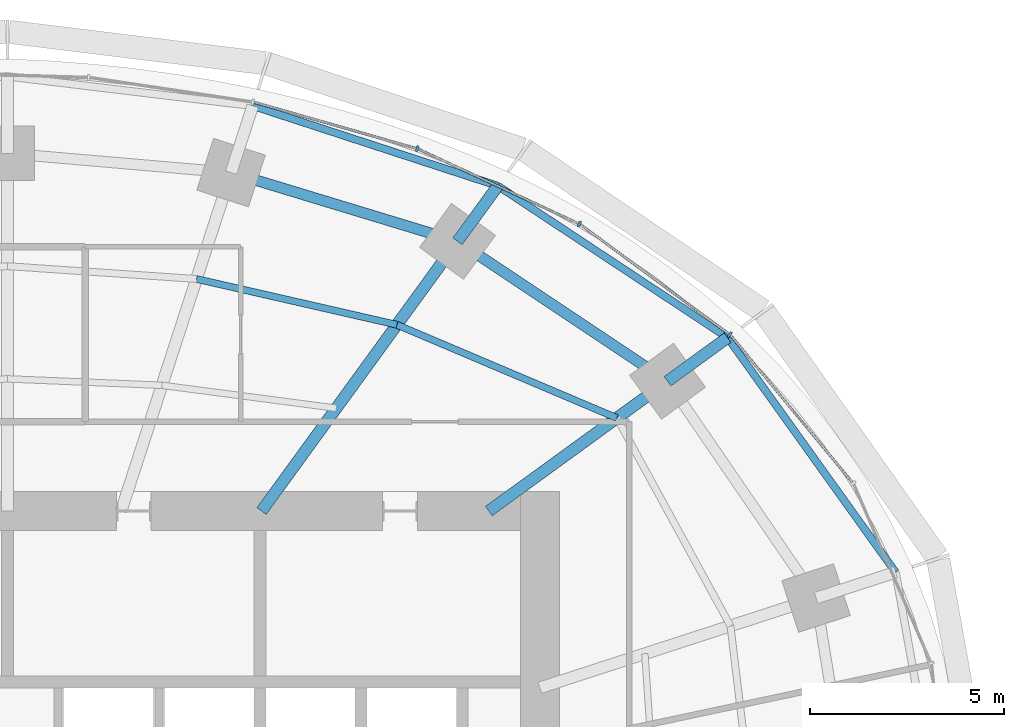
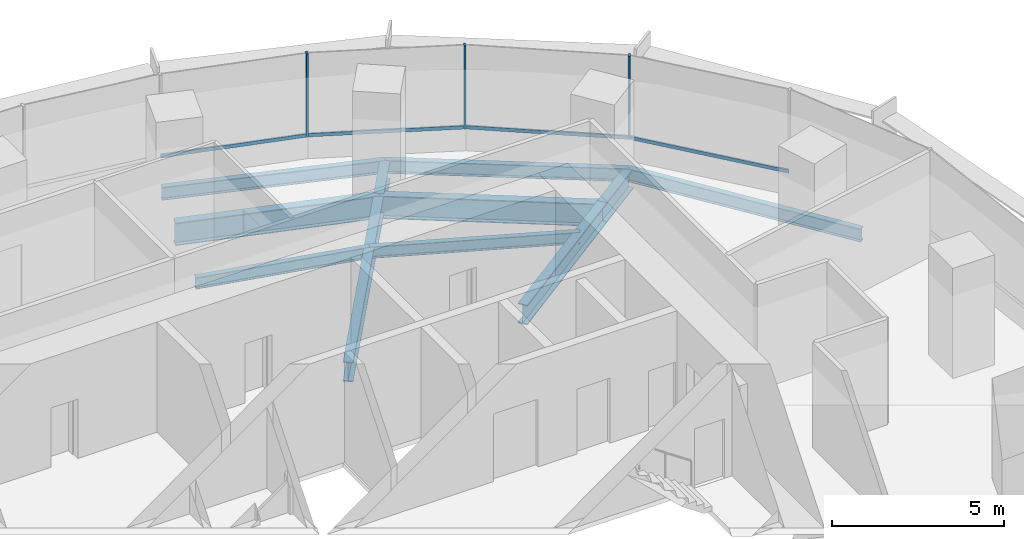
# One storey, part 8 of 15: 11 beams, 7 members, 2 elements without a shape of their own.
"""IFC4 building model written with IfcOpenShell, lengths in metres."""

from ifc_helpers import new_model, si_unit, direction, frame, origin, origin_2d, place, context, subcontext, project, spatial, rectangle, i_section, extrude, material, material_profile, profile_set, type_object, element, aggregate, save


model = new_model("IFC4")

# Units and contexts
model_context = context("Model", 3, precision=1e-05, world=origin(), true_north=direction((0.0, 1.0)))
body_context = subcontext(model_context, "Body", "Model", "MODEL_VIEW")
ifc_project = project(units=[si_unit("LENGTHUNIT", "METRE"), si_unit("AREAUNIT", "SQUARE_METRE"), si_unit("VOLUMEUNIT", "CUBIC_METRE"), si_unit("PLANEANGLEUNIT", "RADIAN"), si_unit("MASSUNIT", "GRAM", prefix="KILO")], contexts=[model_context])

# Site, building, storey
site_placement = place(None, origin())
site = spatial("IfcSite", under=ifc_project, at=site_placement, CompositionType="ELEMENT")
building_placement = place(site_placement, origin())
building = spatial("IfcBuilding", under=site, at=building_placement, Name="Marramba Exchange Tower", CompositionType="ELEMENT")
storey_placement = place(building_placement, frame((0.0, 0.0, 226.699951171875)))
storey = spatial("IfcBuildingStorey", under=building, at=storey_placement, Name="L55", CompositionType="ELEMENT", Elevation=226.699951171875)

# Beams
ifc_material_1 = material(Name="Steel AS/NZS 3679.2 grade 300", Category="steel")
ifc_material_profile_1 = material_profile(ifc_material_1, i_section(OverallWidth=0.300048828125, OverallDepth=0.699951171875, WebThickness=0.010009765625, FlangeThickness=0.031982421875, at=origin_2d()), Name="700WB173")
ifc_profile_set_1 = profile_set([ifc_material_profile_1], Name="Steel AS/NZS 3679.2 grade 300")
beam_type_1 = type_object("IfcBeamType", Name="Cantilever girder 700WB173", PredefinedType="BEAM", material=ifc_profile_set_1)
beam_1_placement = place(storey_placement, frame((16.98583984375, 12.3408203125, -0.510009765625), z_axis=(0.808962750283, 0.587859905636, 0.0), x_axis=(-0.587859905636, 0.808962750283, 0.0)))
element("IfcBeam", 1, at=beam_1_placement, inside=storey, type_object=beam_type_1, Name="Cantilever girder L55 TC03", PredefinedType="BEAM", context=body_context, shape_type="SweptSolid", body=[
    extrude(i_section(OverallWidth=0.300048828125, OverallDepth=0.699951171875, WebThickness=0.010009765625, FlangeThickness=0.031982421875, at=origin_2d()), origin(), (0.0, 0.0, 1.0), 1.9091796875),
])
beam_2_placement = place(storey_placement, frame((11.581298828125, 15.9404296875, -0.510009765625), z_axis=(0.587817766387, 0.808993370504, 0.0), x_axis=(-0.808993370504, 0.587817766387, 0.0)))
element("IfcBeam", 2, at=beam_2_placement, inside=storey, type_object=beam_type_1, Name="Cantilever girder L55 TC04", PredefinedType="BEAM", context=body_context, shape_type="SweptSolid", body=[
    extrude(i_section(OverallWidth=0.300048828125, OverallDepth=0.699951171875, WebThickness=0.010009765625, FlangeThickness=0.031982421875, at=origin_2d()), origin(), (0.0, 0.0, 1.0), 1.763916015625),
])
ifc_material_2 = material(Name="Steel AS/NZS 3679.1 grade 300", Category="steel")
ifc_material_profile_2 = material_profile(ifc_material_2, i_section(OverallWidth=0.177978515625, OverallDepth=0.406005859375, WebThickness=0.0078125, FlangeThickness=0.0126953125, FilletRadius=0.011474609375, at=origin_2d()), Name="410UB59.7")
ifc_profile_set_2 = profile_set([ifc_material_profile_2], Name="Steel AS/NZS 3679.1 grade 300")
beam_type_2 = type_object("IfcBeamType", Name="Floor joist 410UB59.7", PredefinedType="JOIST", material=ifc_profile_set_2)
beam_3_placement = place(storey_placement, frame((15.682373046875, 11.393798828125, -0.363037109375), z_axis=(-0.920674336375, 0.390331610738, 0.0), x_axis=(-0.390331610738, -0.920674336375, 0.0)))
element("IfcBeam", 3, at=beam_3_placement, inside=storey, type_object=beam_type_2, Name="Joist L55 bay 03 row 2", PredefinedType="JOIST", context=body_context, shape_type="SweptSolid", body=[
    extrude(i_section(OverallWidth=0.177978515625, OverallDepth=0.406005859375, WebThickness=0.0078125, FlangeThickness=0.0126953125, FilletRadius=0.011474609375, at=origin_2d()), origin(), (0.0, 0.0, 1.0), 6.1484375),
])
beam_4_placement = place(storey_placement, frame((10.021728515625, 13.793701171875, -0.363037109375), z_axis=(-0.974859652292, 0.222819788916, 0.0), x_axis=(-0.222819788916, -0.974859652292, 0.0)))
element("IfcBeam", 4, at=beam_4_placement, inside=storey, type_object=beam_type_2, Name="Joist L55 bay 04 row 2", PredefinedType="JOIST", context=body_context, shape_type="SweptSolid", body=[
    extrude(i_section(OverallWidth=0.177978515625, OverallDepth=0.406005859375, WebThickness=0.0078125, FlangeThickness=0.0126953125, FilletRadius=0.011474609375, at=origin_2d()), origin(), (0.0, 0.0, 1.0), 5.2900390625),
])

# Curtain wall, members
ifc_material_3 = material(Name="Aluminium framing, bronze anodised", Category="aluminium")
curtain_wall_type = type_object("IfcCurtainWallType", Name="Office ribbon curtain wall", PredefinedType="USERDEFINED", material=ifc_material_3)
curtain_wall_1_placement = place(storey_placement, origin())
curtain_wall_1 = element("IfcCurtainWall", 5, at=curtain_wall_1_placement, inside=storey, type_object=curtain_wall_type, Name="Curtain wall CW4 L55 F01-F05", ObjectType="RIBBON CURTAIN WALL", PredefinedType="USERDEFINED")
ifc_material_4 = material(Name="Aluminium mullion, bronze anodised", Category="aluminium")
ifc_material_profile_3 = material_profile(ifc_material_4, rectangle(XDim=0.159912109375, YDim=0.06005859375, at=origin_2d()), Name="CW4 mullion 60x160")
ifc_profile_set_3 = profile_set([ifc_material_profile_3], Name="Aluminium mullion, bronze anodised")
member_type_1 = type_object("IfcMemberType", Name="Office ribbon curtain wall mullion", PredefinedType="MULLION", material=ifc_profile_set_3)
member_1_placement = place(storey_placement, frame((18.587158203125, 13.53955078125, 0.800048828125), z_axis=(0.0, 0.0, 1.0), x_axis=(-0.593441317494, -0.804877259395, 0.0)))
member_1 = element("IfcMember", 6, at=member_1_placement, type_object=member_type_1, Name="CW4 mullion 1", PredefinedType="MULLION", context=body_context, shape_type="SweptSolid", body=[
    extrude(rectangle(XDim=0.159912109375, YDim=0.06005859375, at=origin_2d()), origin(), (0.0, 0.0, 1.0), 2.93994140625),
])
member_2_placement = place(storey_placement, frame((14.7158203125, 16.386474609375, 0.800048828125), z_axis=(0.0, 0.0, 1.0), x_axis=(-0.422133006189, -0.906533907301, 0.0)))
member_2 = element("IfcMember", 7, at=member_2_placement, type_object=member_type_1, Name="CW4 mullion 1", PredefinedType="MULLION", context=body_context, shape_type="SweptSolid", body=[
    extrude(rectangle(XDim=0.159912109375, YDim=0.06005859375, at=origin_2d()), origin(), (0.0, 0.0, 1.0), 2.93994140625),
])

# Curtain wall, member
curtain_wall_2_placement = place(storey_placement, origin())
curtain_wall_2 = element("IfcCurtainWall", 8, at=curtain_wall_2_placement, inside=storey, type_object=curtain_wall_type, Name="Curtain wall CW4 L55 F06-F10", ObjectType="RIBBON CURTAIN WALL", PredefinedType="USERDEFINED")
member_3_placement = place(storey_placement, frame((10.54541015625, 18.3232421875, 0.800048828125), z_axis=(0.0, 0.0, 1.0), x_axis=(-0.274248164656, -0.961658954195, 0.0)))
member_3 = element("IfcMember", 9, at=member_3_placement, type_object=member_type_1, Name="CW4 mullion 1", PredefinedType="MULLION", context=body_context, shape_type="SweptSolid", body=[
    extrude(rectangle(XDim=0.159912109375, YDim=0.06005859375, at=origin_2d()), origin(), (0.0, 0.0, 1.0), 2.93994140625),
])

# Member
ifc_material_5 = material(Name="Aluminium transom, bronze anodised", Category="aluminium")
ifc_material_profile_4 = material_profile(ifc_material_5, rectangle(XDim=0.06005859375, YDim=0.1201171875, at=origin_2d()), Name="CW4 transom 60x120")
ifc_profile_set_4 = profile_set([ifc_material_profile_4], Name="Aluminium transom, bronze anodised")
member_type_2 = type_object("IfcMemberType", Name="Office ribbon curtain wall transom", PredefinedType="USERDEFINED", material=ifc_profile_set_4)
member_4_placement = place(storey_placement, frame((21.73779296875, 9.74169921875, 0.830078125), z_axis=(-0.637375191043, 0.770553609973, 0.0), x_axis=(-0.770553609973, -0.637375191043, 0.0)))
member_4 = element("IfcMember", 10, at=member_4_placement, type_object=member_type_2, Name="CW4 sill transom", ObjectType="TRANSOM", PredefinedType="USERDEFINED", context=body_context, shape_type="SweptSolid", body=[
    extrude(rectangle(XDim=0.06005859375, YDim=0.1201171875, at=origin_2d()), origin(), (0.0, 0.0, 1.0), 4.905517578125),
])

member_5_placement = place(storey_placement, frame((18.56298828125, 13.557373046875, 0.830078125), z_axis=(-0.804874780157, 0.593444680039, 0.0), x_axis=(-0.593444680039, -0.804874780157, 0.0)))
member_5 = element("IfcMember", 11, at=member_5_placement, type_object=member_type_2, Name="CW4 sill transom", ObjectType="TRANSOM", PredefinedType="USERDEFINED", context=body_context, shape_type="SweptSolid", body=[
    extrude(rectangle(XDim=0.06005859375, YDim=0.1201171875, at=origin_2d()), origin(), (0.0, 0.0, 1.0), 4.745849609375),
])

member_6_placement = place(storey_placement, frame((14.688720703125, 16.399169921875, 0.830078125), z_axis=(-0.906548348139, 0.422101992989, 0.0), x_axis=(-0.422101992989, -0.906548348139, 0.0)))
member_6 = element("IfcMember", 12, at=member_6_placement, type_object=member_type_2, Name="CW4 sill transom", ObjectType="TRANSOM", PredefinedType="USERDEFINED", context=body_context, shape_type="SweptSolid", body=[
    extrude(rectangle(XDim=0.06005859375, YDim=0.1201171875, at=origin_2d()), origin(), (0.0, 0.0, 1.0), 4.53857421875),
])

aggregate(curtain_wall_1, [member_4, member_1, member_5, member_2, member_6])

member_7_placement = place(storey_placement, frame((10.5166015625, 18.33154296875, 0.830078125), z_axis=(-0.961661807825, 0.274238158125, 0.0), x_axis=(-0.274238158125, -0.961661807825, 0.0)))
member_7 = element("IfcMember", 13, at=member_7_placement, type_object=member_type_2, Name="CW4 sill transom", ObjectType="TRANSOM", PredefinedType="USERDEFINED", context=body_context, shape_type="SweptSolid", body=[
    extrude(rectangle(XDim=0.06005859375, YDim=0.1201171875, at=origin_2d()), origin(), (0.0, 0.0, 1.0), 4.340087890625),
])

aggregate(curtain_wall_2, [member_3, member_7])

# Beams
ifc_material_profile_5 = material_profile(ifc_material_1, i_section(OverallWidth=0.300048828125, OverallDepth=0.699951171875, WebThickness=0.010009765625, FlangeThickness=0.031982421875, at=origin_2d()), Name="700WB173")
ifc_profile_set_5 = profile_set([ifc_material_profile_5], Name="Steel AS/NZS 3679.2 grade 300")
beam_type_3 = type_object("IfcBeamType", Name="Radial girder 700WB173", PredefinedType="BEAM", material=ifc_profile_set_5)
beam_5_placement = place(storey_placement, frame((12.387451171875, 9.0, -0.510009765625), z_axis=(0.809025746925, 0.587773205252, 0.0), x_axis=(-0.587773205252, 0.809025746925, 0.0)))
element("IfcBeam", 14, at=beam_5_placement, inside=storey, type_object=beam_type_3, Name="Radial girder L55 TC03", PredefinedType="BEAM", context=body_context, shape_type="SweptSolid", body=[
    extrude(i_section(OverallWidth=0.300048828125, OverallDepth=0.699951171875, WebThickness=0.010009765625, FlangeThickness=0.031982421875, at=origin_2d()), origin(), (0.0, 0.0, 1.0), 5.683837890625),
])
beam_6_placement = place(storey_placement, frame((6.538818359375, 9.0, -0.510009765625), z_axis=(0.587782439969, 0.80901903764, 0.0), x_axis=(-0.80901903764, 0.587782439969, 0.0)))
element("IfcBeam", 15, at=beam_6_placement, inside=storey, type_object=beam_type_3, Name="Radial girder L55 TC04", PredefinedType="BEAM", context=body_context, shape_type="SweptSolid", body=[
    extrude(i_section(OverallWidth=0.300048828125, OverallDepth=0.699951171875, WebThickness=0.010009765625, FlangeThickness=0.031982421875, at=origin_2d()), origin(), (0.0, 0.0, 1.0), 8.578857421875),
])
ifc_material_profile_6 = material_profile(ifc_material_1, i_section(OverallWidth=0.27490234375, OverallDepth=0.800048828125, WebThickness=0.010009765625, FlangeThickness=0.02490234375, at=origin_2d()), Name="800WB168")
ifc_profile_set_6 = profile_set([ifc_material_profile_6], Name="Steel AS/NZS 3679.2 grade 300")
beam_type_4 = type_object("IfcBeamType", Name="Ring beam 800WB168", PredefinedType="SPANDREL", material=ifc_profile_set_6)
beam_7_placement = place(storey_placement, frame((16.98583984375, 12.3408203125, -0.56005859375), z_axis=(-0.832293151443, 0.554335737673, 0.0), x_axis=(-0.554335737673, -0.832293151443, 0.0)))
element("IfcBeam", 16, at=beam_7_placement, inside=storey, type_object=beam_type_4, Name="Ring beam L55 TC03-TC04", PredefinedType="SPANDREL", context=body_context, shape_type="SweptSolid", body=[
    extrude(i_section(OverallWidth=0.27490234375, OverallDepth=0.800048828125, WebThickness=0.010009765625, FlangeThickness=0.02490234375, at=origin_2d()), origin(), (0.0, 0.0, 1.0), 6.49365234375),
])
beam_8_placement = place(storey_placement, frame((11.581298828125, 15.9404296875, -0.56005859375), z_axis=(-0.956924542524, 0.290336735387, 0.0), x_axis=(-0.290336735387, -0.956924542524, 0.0)))
element("IfcBeam", 17, at=beam_8_placement, inside=storey, type_object=beam_type_4, Name="Ring beam L55 TC04-TC05", PredefinedType="SPANDREL", context=body_context, shape_type="SweptSolid", body=[
    extrude(i_section(OverallWidth=0.27490234375, OverallDepth=0.800048828125, WebThickness=0.010009765625, FlangeThickness=0.02490234375, at=origin_2d()), origin(), (0.0, 0.0, 1.0), 6.089599609375),
])
ifc_material_profile_7 = material_profile(ifc_material_2, i_section(OverallWidth=0.19091796875, OverallDepth=0.4599609375, WebThickness=0.010009765625, FlangeThickness=0.01611328125, FilletRadius=0.011474609375, at=origin_2d()), Name="460UB82.1")
ifc_profile_set_7 = profile_set([ifc_material_profile_7], Name="Steel AS/NZS 3679.1 grade 300")
beam_type_5 = type_object("IfcBeamType", Name="Slab edge beam 460UB82.1", PredefinedType="SPANDREL", material=ifc_profile_set_7)
beam_9_placement = place(storey_placement, frame((22.853515625, 7.425537109375, -0.389892578125), z_axis=(-0.582189457885, 0.813053156398, 0.0), x_axis=(-0.813053156398, -0.582189457885, 0.0)))
element("IfcBeam", 18, at=beam_9_placement, inside=storey, type_object=beam_type_5, Name="Slab edge beam L55 TC02-TC03", PredefinedType="SPANDREL", context=body_context, shape_type="SweptSolid", body=[
    extrude(i_section(OverallWidth=0.19091796875, OverallDepth=0.4599609375, WebThickness=0.010009765625, FlangeThickness=0.01611328125, FilletRadius=0.011474609375, at=origin_2d()), origin(), (0.0, 0.0, 1.0), 7.42578125),
])
beam_10_placement = place(storey_placement, frame((18.5302734375, 13.463134765625, -0.389892578125), z_axis=(-0.834459826117, 0.551068778463, 0.0), x_axis=(-0.551068778463, -0.834459826117, 0.0)))
element("IfcBeam", 19, at=beam_10_placement, inside=storey, type_object=beam_type_5, Name="Slab edge beam L55 TC03-TC04", PredefinedType="SPANDREL", context=body_context, shape_type="SweptSolid", body=[
    extrude(i_section(OverallWidth=0.19091796875, OverallDepth=0.4599609375, WebThickness=0.010009765625, FlangeThickness=0.01611328125, FilletRadius=0.011474609375, at=origin_2d()), origin(), (0.0, 0.0, 1.0), 7.0849609375),
])
beam_11_placement = place(storey_placement, frame((12.6181640625, 17.367431640625, -0.389892578125), z_axis=(-0.950608559101, 0.310392279809, 0.0), x_axis=(-0.310392279809, -0.950608559101, 0.0)))
element("IfcBeam", 20, at=beam_11_placement, inside=storey, type_object=beam_type_5, Name="Slab edge beam L55 TC04-TC05", PredefinedType="SPANDREL", context=body_context, shape_type="SweptSolid", body=[
    extrude(i_section(OverallWidth=0.19091796875, OverallDepth=0.4599609375, WebThickness=0.010009765625, FlangeThickness=0.01611328125, FilletRadius=0.011474609375, at=origin_2d()), origin(), (0.0, 0.0, 1.0), 6.6337890625),
])

save(model, "model.ifc")
